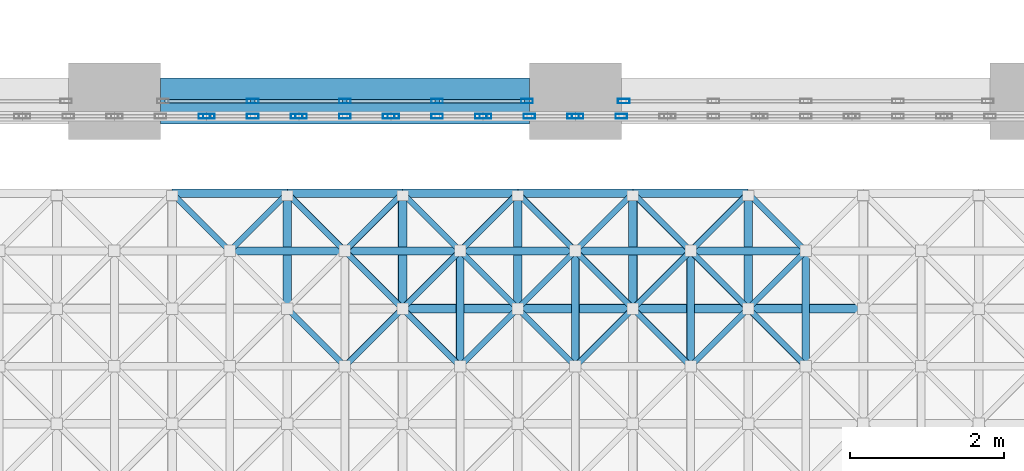
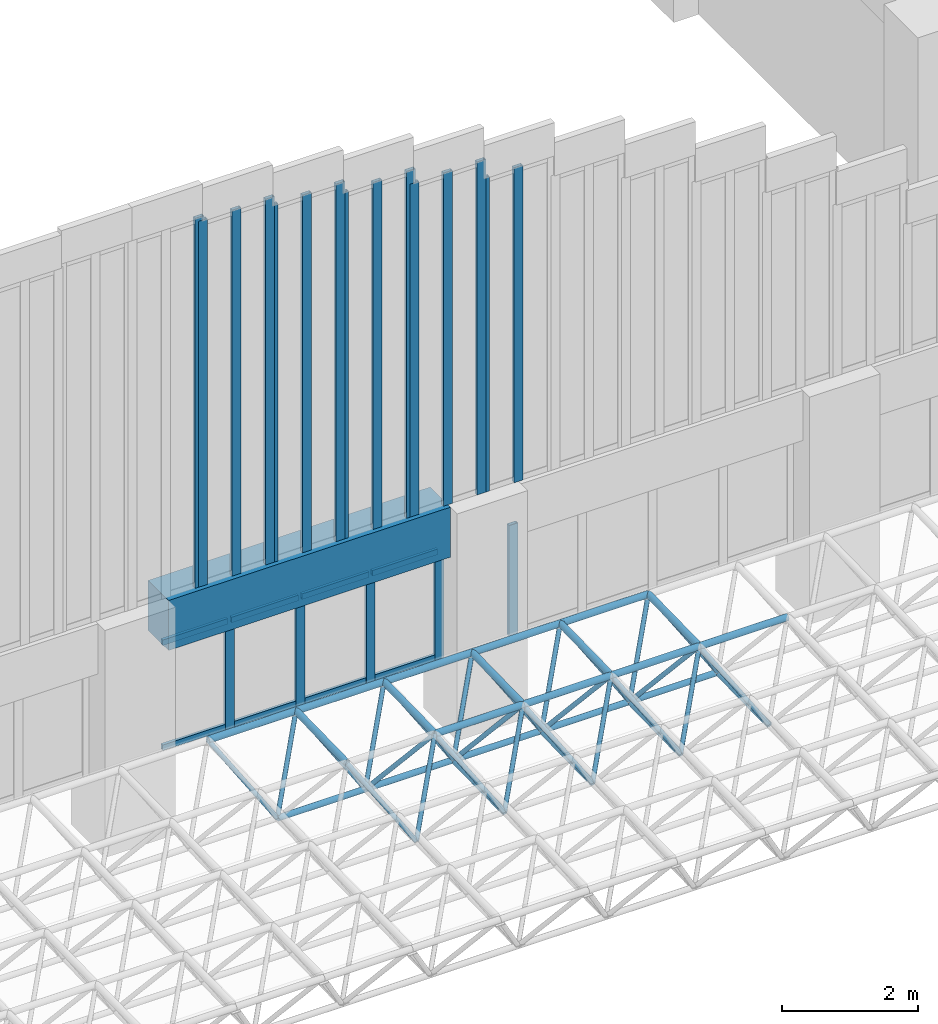
# One storey, part 15 of 103: 79 members, 1 beam, 8 elements without a shape of their own.
"""IFC4 building model written with IfcOpenShell, lengths in metres."""

from ifc_helpers import new_model, si_unit, direction, frame, origin, origin_2d, place, context, subcontext, project, spatial, rectangle, hollow_rectangle, hollow_circle, extrude, material, material_profile, profile_set, type_object, element, aggregate, save


model = new_model("IFC4")

# Units and contexts
model_context = context("Model", 3, precision=1e-05, world=origin(), true_north=direction((0.0, 1.0)))
body_context = subcontext(model_context, "Body", "Model", "MODEL_VIEW")
ifc_project = project(units=[si_unit("LENGTHUNIT", "METRE"), si_unit("AREAUNIT", "SQUARE_METRE"), si_unit("VOLUMEUNIT", "CUBIC_METRE"), si_unit("PLANEANGLEUNIT", "RADIAN"), si_unit("MASSUNIT", "GRAM", prefix="KILO")], contexts=[model_context])

# Site, building, storey
site_placement = place(None, origin())
site = spatial("IfcSite", under=ifc_project, at=site_placement, CompositionType="ELEMENT")
building_placement = place(site_placement, origin())
building = spatial("IfcBuilding", under=site, at=building_placement, Name="Laocheng Heights Fire and Rescue Headquarters", CompositionType="ELEMENT")
storey_placement = place(building_placement, frame((0.0, 0.0, 4.199951171875)))
storey = spatial("IfcBuildingStorey", under=building, at=storey_placement, Name="L01", CompositionType="ELEMENT", Elevation=4.199951171875)

# Curtain wall, members
ifc_material_1 = material(Name="Aluminium gable glazing, low-e double glazing", Category="aluminium")
curtain_wall_type_1 = type_object("IfcCurtainWallType", Name="GABLE SPANDREL GLAZED UNIT 4800 x 1990", PredefinedType="NOTDEFINED", material=ifc_material_1)
curtain_wall_1_placement = place(storey_placement, origin())
curtain_wall_1 = element("IfcCurtainWall", 1, at=curtain_wall_1_placement, inside=storey, type_object=curtain_wall_type_1, Name="Gable spandrel glazing S4", PredefinedType="NOTDEFINED")
ifc_material_2 = material(Name="Aluminium 6063-T5 extrusion", Category="aluminium")
ifc_material_profile_1 = material_profile(ifc_material_2, hollow_rectangle(XDim=0.06005859375, YDim=0.14990234375, WallThickness=0.0029296875, at=origin_2d()), Name="AL MULLION 150x60x3")
ifc_profile_set_1 = profile_set([ifc_material_profile_1], Name="Aluminium 6063-T5 extrusion")
member_type_1 = type_object("IfcMemberType", Name="AL GABLE MULLION 150x60x3", PredefinedType="MULLION", material=ifc_profile_set_1)
member_1_placement = place(storey_placement, frame((37.800048828125, 0.0, 1.199951171875), z_axis=(0.0, 0.0, 1.0), x_axis=(0.0, 1.0, 0.0)))
member_1 = element("IfcMember", 2, at=member_1_placement, type_object=member_type_1, Name="X1-D mullion 2", PredefinedType="MULLION", context=body_context, shape_type="SweptSolid", body=[
    extrude(hollow_rectangle(XDim=0.06005859375, YDim=0.14990234375, WallThickness=0.0029296875, at=origin_2d()), origin(), (0.0, 0.0, 1.0), 1.990478515625),
])
member_2_placement = place(storey_placement, frame((39.0, 0.0, 1.199951171875), z_axis=(0.0, 0.0, 1.0), x_axis=(0.0, 1.0, 0.0)))
member_2 = element("IfcMember", 3, at=member_2_placement, type_object=member_type_1, Name="X1-D mullion 3", PredefinedType="MULLION", context=body_context, shape_type="SweptSolid", body=[
    extrude(hollow_rectangle(XDim=0.06005859375, YDim=0.14990234375, WallThickness=0.0029296875, at=origin_2d()), origin(), (0.0, 0.0, 1.0), 1.990478515625),
])
member_3_placement = place(storey_placement, frame((40.199951171875, 0.0, 1.199951171875), z_axis=(0.0, 0.0, 1.0), x_axis=(0.0, 1.0, 0.0)))
member_3 = element("IfcMember", 4, at=member_3_placement, type_object=member_type_1, Name="X1-D mullion 4", PredefinedType="MULLION", context=body_context, shape_type="SweptSolid", body=[
    extrude(hollow_rectangle(XDim=0.06005859375, YDim=0.14990234375, WallThickness=0.0029296875, at=origin_2d()), origin(), (0.0, 0.0, 1.0), 1.990478515625),
])
member_4_placement = place(storey_placement, frame((41.3701171875, 0.0, 1.199951171875), z_axis=(0.0, 0.0, 1.0), x_axis=(0.0, 1.0, 0.0)))
member_4 = element("IfcMember", 5, at=member_4_placement, type_object=member_type_1, Name="X1-D mullion 5", PredefinedType="MULLION", context=body_context, shape_type="SweptSolid", body=[
    extrude(hollow_rectangle(XDim=0.06005859375, YDim=0.14990234375, WallThickness=0.0029296875, at=origin_2d()), origin(), (0.0, 0.0, 1.0), 1.990478515625),
])

# Curtain wall, member
curtain_wall_2_placement = place(storey_placement, origin())
curtain_wall_2 = element("IfcCurtainWall", 6, at=curtain_wall_2_placement, inside=storey, type_object=curtain_wall_type_1, Name="Gable spandrel glazing S5", PredefinedType="NOTDEFINED")
member_5_placement = place(storey_placement, frame((42.6298828125, 0.0, 1.199951171875), z_axis=(0.0, 0.0, 1.0), x_axis=(0.0, 1.0, 0.0)))
member_5 = element("IfcMember", 7, at=member_5_placement, type_object=member_type_1, Name="X1-D mullion 1", PredefinedType="MULLION", context=body_context, shape_type="SweptSolid", body=[
    extrude(hollow_rectangle(XDim=0.06005859375, YDim=0.14990234375, WallThickness=0.0029296875, at=origin_2d()), origin(), (0.0, 0.0, 1.0), 1.990478515625),
])
aggregate(curtain_wall_2, [member_5])

ifc_material_3 = material(Name="Aluminium gable glazing, low-e double glazing", Category="aluminium")
curtain_wall_type_2 = type_object("IfcCurtainWallType", Name="GABLE GLAZED UNIT 1200 x 6658", PredefinedType="NOTDEFINED", material=ifc_material_3)
curtain_wall_3_placement = place(storey_placement, origin())
curtain_wall_3 = element("IfcCurtainWall", 8, at=curtain_wall_3_placement, inside=storey, type_object=curtain_wall_type_2, Name="Gable glazing S17", PredefinedType="NOTDEFINED")
member_6_placement = place(storey_placement, frame((37.169921875, -0.196533203125, 4.090576171875), z_axis=(0.0, 0.0, 1.0), x_axis=(0.0, 1.0, 0.0)))
member_6 = element("IfcMember", 9, at=member_6_placement, type_object=member_type_1, Name="X15-D mullion 3", PredefinedType="MULLION", context=body_context, shape_type="SweptSolid", body=[
    extrude(hollow_rectangle(XDim=0.06005859375, YDim=0.14990234375, WallThickness=0.0029296875, at=origin_2d()), origin(), (0.0, 0.0, 1.0), 6.658447265625),
])
aggregate(curtain_wall_3, [member_6])

# Curtain wall, members
ifc_material_4 = material(Name="Aluminium gable glazing, low-e double glazing", Category="aluminium")
curtain_wall_type_3 = type_object("IfcCurtainWallType", Name="GABLE GLAZED UNIT 1200 x 6586", PredefinedType="NOTDEFINED", material=ifc_material_4)
curtain_wall_4_placement = place(storey_placement, origin())
curtain_wall_4 = element("IfcCurtainWall", 10, at=curtain_wall_4_placement, inside=storey, type_object=curtain_wall_type_3, Name="Gable glazing S18", PredefinedType="NOTDEFINED")
member_7_placement = place(storey_placement, frame((37.22998046875, -0.196533203125, 4.090576171875), z_axis=(0.0, 0.0, 1.0), x_axis=(0.0, 1.0, 0.0)))
member_7 = element("IfcMember", 11, at=member_7_placement, type_object=member_type_1, Name="X14-D mullion 1", PredefinedType="MULLION", context=body_context, shape_type="SweptSolid", body=[
    extrude(hollow_rectangle(XDim=0.06005859375, YDim=0.14990234375, WallThickness=0.0029296875, at=origin_2d()), origin(), (0.0, 0.0, 1.0), 6.58544921875),
])
member_8_placement = place(storey_placement, frame((37.800048828125, -0.196533203125, 4.090576171875), z_axis=(0.0, 0.0, 1.0), x_axis=(0.0, 1.0, 0.0)))
member_8 = element("IfcMember", 12, at=member_8_placement, type_object=member_type_1, Name="X14-D mullion 2", PredefinedType="MULLION", context=body_context, shape_type="SweptSolid", body=[
    extrude(hollow_rectangle(XDim=0.06005859375, YDim=0.14990234375, WallThickness=0.0029296875, at=origin_2d()), origin(), (0.0, 0.0, 1.0), 6.58544921875),
])
member_9_placement = place(storey_placement, frame((38.3701171875, -0.196533203125, 4.090576171875), z_axis=(0.0, 0.0, 1.0), x_axis=(0.0, 1.0, 0.0)))
member_9 = element("IfcMember", 13, at=member_9_placement, type_object=member_type_1, Name="X14-D mullion 3", PredefinedType="MULLION", context=body_context, shape_type="SweptSolid", body=[
    extrude(hollow_rectangle(XDim=0.06005859375, YDim=0.14990234375, WallThickness=0.0029296875, at=origin_2d()), origin(), (0.0, 0.0, 1.0), 6.58544921875),
])
aggregate(curtain_wall_4, [member_7, member_8, member_9])

ifc_material_5 = material(Name="Aluminium gable glazing, low-e double glazing", Category="aluminium")
curtain_wall_type_4 = type_object("IfcCurtainWallType", Name="GABLE GLAZED UNIT 1200 x 6438", PredefinedType="NOTDEFINED", material=ifc_material_5)
curtain_wall_5_placement = place(storey_placement, origin())
curtain_wall_5 = element("IfcCurtainWall", 14, at=curtain_wall_5_placement, inside=storey, type_object=curtain_wall_type_4, Name="Gable glazing S19", PredefinedType="NOTDEFINED")
member_10_placement = place(storey_placement, frame((38.429931640625, -0.196533203125, 4.090576171875), z_axis=(0.0, 0.0, 1.0), x_axis=(0.0, 1.0, 0.0)))
member_10 = element("IfcMember", 15, at=member_10_placement, type_object=member_type_1, Name="X13-D mullion 1", PredefinedType="MULLION", context=body_context, shape_type="SweptSolid", body=[
    extrude(hollow_rectangle(XDim=0.06005859375, YDim=0.14990234375, WallThickness=0.0029296875, at=origin_2d()), origin(), (0.0, 0.0, 1.0), 6.4375),
])
member_11_placement = place(storey_placement, frame((39.0, -0.196533203125, 4.090576171875), z_axis=(0.0, 0.0, 1.0), x_axis=(0.0, 1.0, 0.0)))
member_11 = element("IfcMember", 16, at=member_11_placement, type_object=member_type_1, Name="X13-D mullion 2", PredefinedType="MULLION", context=body_context, shape_type="SweptSolid", body=[
    extrude(hollow_rectangle(XDim=0.06005859375, YDim=0.14990234375, WallThickness=0.0029296875, at=origin_2d()), origin(), (0.0, 0.0, 1.0), 6.4375),
])
member_12_placement = place(storey_placement, frame((39.570068359375, -0.196533203125, 4.090576171875), z_axis=(0.0, 0.0, 1.0), x_axis=(0.0, 1.0, 0.0)))
member_12 = element("IfcMember", 17, at=member_12_placement, type_object=member_type_1, Name="X13-D mullion 3", PredefinedType="MULLION", context=body_context, shape_type="SweptSolid", body=[
    extrude(hollow_rectangle(XDim=0.06005859375, YDim=0.14990234375, WallThickness=0.0029296875, at=origin_2d()), origin(), (0.0, 0.0, 1.0), 6.4375),
])
aggregate(curtain_wall_5, [member_10, member_11, member_12])

ifc_material_6 = material(Name="Aluminium gable glazing, low-e double glazing", Category="aluminium")
curtain_wall_type_5 = type_object("IfcCurtainWallType", Name="GABLE GLAZED UNIT 1200 x 6246", PredefinedType="NOTDEFINED", material=ifc_material_6)
curtain_wall_6_placement = place(storey_placement, origin())
curtain_wall_6 = element("IfcCurtainWall", 18, at=curtain_wall_6_placement, inside=storey, type_object=curtain_wall_type_5, Name="Gable glazing S20", PredefinedType="NOTDEFINED")
member_13_placement = place(storey_placement, frame((39.6298828125, -0.196533203125, 4.090576171875), z_axis=(0.0, 0.0, 1.0), x_axis=(0.0, 1.0, 0.0)))
member_13 = element("IfcMember", 19, at=member_13_placement, type_object=member_type_1, Name="X12-D mullion 1", PredefinedType="MULLION", context=body_context, shape_type="SweptSolid", body=[
    extrude(hollow_rectangle(XDim=0.06005859375, YDim=0.14990234375, WallThickness=0.0029296875, at=origin_2d()), origin(), (0.0, 0.0, 1.0), 6.245361328125),
])
member_14_placement = place(storey_placement, frame((40.199951171875, -0.196533203125, 4.090576171875), z_axis=(0.0, 0.0, 1.0), x_axis=(0.0, 1.0, 0.0)))
member_14 = element("IfcMember", 20, at=member_14_placement, type_object=member_type_1, Name="X12-D mullion 2", PredefinedType="MULLION", context=body_context, shape_type="SweptSolid", body=[
    extrude(hollow_rectangle(XDim=0.06005859375, YDim=0.14990234375, WallThickness=0.0029296875, at=origin_2d()), origin(), (0.0, 0.0, 1.0), 6.245361328125),
])
member_15_placement = place(storey_placement, frame((40.77001953125, -0.196533203125, 4.090576171875), z_axis=(0.0, 0.0, 1.0), x_axis=(0.0, 1.0, 0.0)))
member_15 = element("IfcMember", 21, at=member_15_placement, type_object=member_type_1, Name="X12-D mullion 3", PredefinedType="MULLION", context=body_context, shape_type="SweptSolid", body=[
    extrude(hollow_rectangle(XDim=0.06005859375, YDim=0.14990234375, WallThickness=0.0029296875, at=origin_2d()), origin(), (0.0, 0.0, 1.0), 6.245361328125),
])
aggregate(curtain_wall_6, [member_13, member_14, member_15])

ifc_material_7 = material(Name="Aluminium gable glazing, low-e double glazing", Category="aluminium")
curtain_wall_type_6 = type_object("IfcCurtainWallType", Name="GABLE GLAZED UNIT 1200 x 5994", PredefinedType="NOTDEFINED", material=ifc_material_7)
curtain_wall_7_placement = place(storey_placement, origin())
curtain_wall_7 = element("IfcCurtainWall", 22, at=curtain_wall_7_placement, inside=storey, type_object=curtain_wall_type_6, Name="Gable glazing S21", PredefinedType="NOTDEFINED")
member_16_placement = place(storey_placement, frame((40.830078125, -0.196533203125, 4.090576171875), z_axis=(0.0, 0.0, 1.0), x_axis=(0.0, 1.0, 0.0)))
member_16 = element("IfcMember", 23, at=member_16_placement, type_object=member_type_1, Name="X11-D mullion 1", PredefinedType="MULLION", context=body_context, shape_type="SweptSolid", body=[
    extrude(hollow_rectangle(XDim=0.06005859375, YDim=0.14990234375, WallThickness=0.0029296875, at=origin_2d()), origin(), (0.0, 0.0, 1.0), 5.994384765625),
])
member_17_placement = place(storey_placement, frame((41.39990234375, -0.196533203125, 4.090576171875), z_axis=(0.0, 0.0, 1.0), x_axis=(0.0, 1.0, 0.0)))
member_17 = element("IfcMember", 24, at=member_17_placement, type_object=member_type_1, Name="X11-D mullion 2", PredefinedType="MULLION", context=body_context, shape_type="SweptSolid", body=[
    extrude(hollow_rectangle(XDim=0.06005859375, YDim=0.14990234375, WallThickness=0.0029296875, at=origin_2d()), origin(), (0.0, 0.0, 1.0), 5.994384765625),
])
member_18_placement = place(storey_placement, frame((41.969970703125, -0.196533203125, 4.090576171875), z_axis=(0.0, 0.0, 1.0), x_axis=(0.0, 1.0, 0.0)))
member_18 = element("IfcMember", 25, at=member_18_placement, type_object=member_type_1, Name="X11-D mullion 3", PredefinedType="MULLION", context=body_context, shape_type="SweptSolid", body=[
    extrude(hollow_rectangle(XDim=0.06005859375, YDim=0.14990234375, WallThickness=0.0029296875, at=origin_2d()), origin(), (0.0, 0.0, 1.0), 5.994384765625),
])
aggregate(curtain_wall_7, [member_16, member_17, member_18])

ifc_material_8 = material(Name="Aluminium gable glazing, low-e double glazing", Category="aluminium")
curtain_wall_type_7 = type_object("IfcCurtainWallType", Name="GABLE GLAZED UNIT 1200 x 5668", PredefinedType="NOTDEFINED", material=ifc_material_8)
curtain_wall_8_placement = place(storey_placement, origin())
curtain_wall_8 = element("IfcCurtainWall", 26, at=curtain_wall_8_placement, inside=storey, type_object=curtain_wall_type_7, Name="Gable glazing S22", PredefinedType="NOTDEFINED")
member_19_placement = place(storey_placement, frame((42.030029296875, -0.196533203125, 4.090576171875), z_axis=(0.0, 0.0, 1.0), x_axis=(0.0, 1.0, 0.0)))
member_19 = element("IfcMember", 27, at=member_19_placement, type_object=member_type_1, Name="X10-D mullion 1", PredefinedType="MULLION", context=body_context, shape_type="SweptSolid", body=[
    extrude(hollow_rectangle(XDim=0.06005859375, YDim=0.14990234375, WallThickness=0.0029296875, at=origin_2d()), origin(), (0.0, 0.0, 1.0), 5.66845703125),
])
member_20_placement = place(storey_placement, frame((42.60009765625, -0.196533203125, 4.090576171875), z_axis=(0.0, 0.0, 1.0), x_axis=(0.0, 1.0, 0.0)))
member_20 = element("IfcMember", 28, at=member_20_placement, type_object=member_type_1, Name="X10-D mullion 2", PredefinedType="MULLION", context=body_context, shape_type="SweptSolid", body=[
    extrude(hollow_rectangle(XDim=0.06005859375, YDim=0.14990234375, WallThickness=0.0029296875, at=origin_2d()), origin(), (0.0, 0.0, 1.0), 5.66845703125),
])
aggregate(curtain_wall_8, [member_19, member_20])

# Member
ifc_material_9 = material(Name="Aluminium 6063-T5 extrusion", Category="aluminium")
ifc_material_profile_2 = material_profile(ifc_material_9, hollow_rectangle(XDim=0.050048828125, YDim=0.10009765625, WallThickness=0.0029296875, at=origin_2d()), Name="AL TRANSOM 100x50x3")
ifc_profile_set_2 = profile_set([ifc_material_profile_2], Name="Aluminium 6063-T5 extrusion")
member_type_2 = type_object("IfcMemberType", Name="AL GABLE TRANSOM 100x50x3", PredefinedType="USERDEFINED", material=ifc_profile_set_2)
member_21_placement = place(storey_placement, frame((36.659912109375, 0.0, 1.25), z_axis=(1.0, 0.0, 0.0), x_axis=(0.0, 1.0, 0.0)))
member_21 = element("IfcMember", 29, at=member_21_placement, type_object=member_type_2, Name="X1-D transom 1.1", ObjectType="TRANSOM", PredefinedType="USERDEFINED", context=body_context, shape_type="SweptSolid", body=[
    extrude(hollow_rectangle(XDim=0.050048828125, YDim=0.10009765625, WallThickness=0.0029296875, at=origin_2d()), origin(), (0.0, 0.0, 1.0), 1.110107421875),
])

member_22_placement = place(storey_placement, frame((36.659912109375, 0.0, 3.140625), z_axis=(1.0, 0.0, 0.0), x_axis=(0.0, 1.0, 0.0)))
member_22 = element("IfcMember", 30, at=member_22_placement, type_object=member_type_2, Name="X1-D transom 1.2", ObjectType="TRANSOM", PredefinedType="USERDEFINED", context=body_context, shape_type="SweptSolid", body=[
    extrude(hollow_rectangle(XDim=0.050048828125, YDim=0.10009765625, WallThickness=0.0029296875, at=origin_2d()), origin(), (0.0, 0.0, 1.0), 1.110107421875),
])

member_23_placement = place(storey_placement, frame((37.830078125, 0.0, 1.25), z_axis=(1.0, 0.0, 0.0), x_axis=(0.0, 1.0, 0.0)))
member_23 = element("IfcMember", 31, at=member_23_placement, type_object=member_type_2, Name="X1-D transom 2.1", ObjectType="TRANSOM", PredefinedType="USERDEFINED", context=body_context, shape_type="SweptSolid", body=[
    extrude(hollow_rectangle(XDim=0.050048828125, YDim=0.10009765625, WallThickness=0.0029296875, at=origin_2d()), origin(), (0.0, 0.0, 1.0), 1.139892578125),
])

member_24_placement = place(storey_placement, frame((37.830078125, 0.0, 3.140625), z_axis=(1.0, 0.0, 0.0), x_axis=(0.0, 1.0, 0.0)))
member_24 = element("IfcMember", 32, at=member_24_placement, type_object=member_type_2, Name="X1-D transom 2.2", ObjectType="TRANSOM", PredefinedType="USERDEFINED", context=body_context, shape_type="SweptSolid", body=[
    extrude(hollow_rectangle(XDim=0.050048828125, YDim=0.10009765625, WallThickness=0.0029296875, at=origin_2d()), origin(), (0.0, 0.0, 1.0), 1.139892578125),
])

member_25_placement = place(storey_placement, frame((39.030029296875, 0.0, 1.25), z_axis=(1.0, 0.0, 0.0), x_axis=(0.0, 1.0, 0.0)))
member_25 = element("IfcMember", 33, at=member_25_placement, type_object=member_type_2, Name="X1-D transom 3.1", ObjectType="TRANSOM", PredefinedType="USERDEFINED", context=body_context, shape_type="SweptSolid", body=[
    extrude(hollow_rectangle(XDim=0.050048828125, YDim=0.10009765625, WallThickness=0.0029296875, at=origin_2d()), origin(), (0.0, 0.0, 1.0), 1.139892578125),
])

member_26_placement = place(storey_placement, frame((39.030029296875, 0.0, 3.140625), z_axis=(1.0, 0.0, 0.0), x_axis=(0.0, 1.0, 0.0)))
member_26 = element("IfcMember", 34, at=member_26_placement, type_object=member_type_2, Name="X1-D transom 3.2", ObjectType="TRANSOM", PredefinedType="USERDEFINED", context=body_context, shape_type="SweptSolid", body=[
    extrude(hollow_rectangle(XDim=0.050048828125, YDim=0.10009765625, WallThickness=0.0029296875, at=origin_2d()), origin(), (0.0, 0.0, 1.0), 1.139892578125),
])

member_27_placement = place(storey_placement, frame((40.22998046875, 0.0, 1.25), z_axis=(1.0, 0.0, 0.0), x_axis=(0.0, 1.0, 0.0)))
member_27 = element("IfcMember", 35, at=member_27_placement, type_object=member_type_2, Name="X1-D transom 4.1", ObjectType="TRANSOM", PredefinedType="USERDEFINED", context=body_context, shape_type="SweptSolid", body=[
    extrude(hollow_rectangle(XDim=0.050048828125, YDim=0.10009765625, WallThickness=0.0029296875, at=origin_2d()), origin(), (0.0, 0.0, 1.0), 1.110107421875),
])

member_28_placement = place(storey_placement, frame((40.22998046875, 0.0, 3.140625), z_axis=(1.0, 0.0, 0.0), x_axis=(0.0, 1.0, 0.0)))
member_28 = element("IfcMember", 36, at=member_28_placement, type_object=member_type_2, Name="X1-D transom 4.2", ObjectType="TRANSOM", PredefinedType="USERDEFINED", context=body_context, shape_type="SweptSolid", body=[
    extrude(hollow_rectangle(XDim=0.050048828125, YDim=0.10009765625, WallThickness=0.0029296875, at=origin_2d()), origin(), (0.0, 0.0, 1.0), 1.110107421875),
])

aggregate(curtain_wall_1, [member_1, member_2, member_3, member_4, member_21, member_22, member_23, member_24, member_25, member_26, member_27, member_28])

# Members
ifc_material_10 = material(Name="Steel Q355B", Category="steel")
ifc_material_profile_3 = material_profile(ifc_material_10, hollow_circle(Radius=0.05078125, WallThickness=0.00390625, at=origin_2d()), Name="CHS 101.6x4")
ifc_profile_set_3 = profile_set([ifc_material_profile_3], Name="Steel Q355B")
member_type_3 = type_object("IfcMemberType", Name="APRON CANOPY BOTTOM CHORD CHS 101.6x4", PredefinedType="CHORD", material=ifc_profile_set_3)
for number, where, z_axis, x_axis, name in (
    (37, (37.5, -1.949951171875, 0.861083984375), (1.0, 0.0, 0.0), (0.0, 1.0, 0.0), "Apron canopy bottom chord AC-B011"),
    (38, (39.0, -1.949951171875, 0.861083984375), (1.0, 0.0, 0.0), (0.0, 1.0, 0.0), "Apron canopy bottom chord AC-B012"),
    (39, (40.5, -1.949951171875, 0.861083984375), (1.0, 0.0, 0.0), (0.0, 1.0, 0.0), "Apron canopy bottom chord AC-B013"),
    (40, (42.0, -1.949951171875, 0.861083984375), (1.0, 0.0, 0.0), (0.0, 1.0, 0.0), "Apron canopy bottom chord AC-B014"),
    (41, (43.5, -1.949951171875, 0.861083984375), (1.0, 0.0, 0.0), (0.0, 1.0, 0.0), "Apron canopy bottom chord AC-B015"),
):
    element("IfcMember", number, at=place(storey_placement, frame(where, z_axis=z_axis, x_axis=x_axis)), inside=storey, type_object=member_type_3, Name=name, PredefinedType="CHORD", context=body_context, shape_type="SweptSolid", body=[
        extrude(hollow_circle(Radius=0.05078125, WallThickness=0.00390625, at=origin_2d()), origin(), (0.0, 0.0, 1.0), 1.5),
    ])
for number, where, z_axis, x_axis, name in (
    (42, (40.5, -1.949951171875, 0.861083984375), (0.0, -0.999799669399, -0.020015520725), (1.0, 0.0, 0.0), "Apron canopy bottom chord AC-B125"),
    (43, (42.0, -1.949951171875, 0.861083984375), (0.0, -0.999799669399, -0.020015520725), (1.0, 0.0, 0.0), "Apron canopy bottom chord AC-B128"),
    (44, (43.5, -1.949951171875, 0.861083984375), (0.0, -0.999799669399, -0.020015520725), (1.0, 0.0, 0.0), "Apron canopy bottom chord AC-B131"),
    (45, (45.0, -1.949951171875, 0.861083984375), (0.0, -0.999799669399, -0.020015520725), (1.0, 0.0, 0.0), "Apron canopy bottom chord AC-B134"),
):
    element("IfcMember", number, at=place(storey_placement, frame(where, z_axis=z_axis, x_axis=x_axis)), inside=storey, type_object=member_type_3, Name=name, PredefinedType="CHORD", context=body_context, shape_type="SweptSolid", body=[
        extrude(hollow_circle(Radius=0.05078125, WallThickness=0.00390625, at=origin_2d()), origin(), (0.0, 0.0, 1.0), 1.500244140625),
    ])
ifc_material_11 = material(Name="Steel Q355B", Category="steel")
ifc_material_profile_4 = material_profile(ifc_material_11, hollow_circle(Radius=0.05712890625, WallThickness=0.0048828125, at=origin_2d()), Name="CHS 114.3x5")
ifc_profile_set_4 = profile_set([ifc_material_profile_4], Name="Steel Q355B")
member_type_4 = type_object("IfcMemberType", Name="APRON CANOPY TOP CHORD CHS 114.3x5", PredefinedType="CHORD", material=ifc_profile_set_4)
for number, where, z_axis, x_axis, name in (
    (46, (36.75, -1.199951171875, 2.075927734375), (1.0, 0.0, 0.0), (0.0, 1.0, 0.0), "Apron canopy top chord AC-T011"),
    (47, (38.25, -1.199951171875, 2.075927734375), (1.0, 0.0, 0.0), (0.0, 1.0, 0.0), "Apron canopy top chord AC-T012"),
    (48, (39.75, -1.199951171875, 2.075927734375), (1.0, 0.0, 0.0), (0.0, 1.0, 0.0), "Apron canopy top chord AC-T013"),
    (49, (41.25, -1.199951171875, 2.075927734375), (1.0, 0.0, 0.0), (0.0, 1.0, 0.0), "Apron canopy top chord AC-T014"),
    (50, (42.75, -1.199951171875, 2.075927734375), (1.0, 0.0, 0.0), (0.0, 1.0, 0.0), "Apron canopy top chord AC-T015"),
    (51, (39.75, -2.699951171875, 2.046142578125), (1.0, 0.0, 0.0), (0.0, 1.0, 0.0), "Apron canopy top chord AC-T036"),
    (52, (41.25, -2.699951171875, 2.046142578125), (1.0, 0.0, 0.0), (0.0, 1.0, 0.0), "Apron canopy top chord AC-T037"),
    (53, (42.75, -2.699951171875, 2.046142578125), (1.0, 0.0, 0.0), (0.0, 1.0, 0.0), "Apron canopy top chord AC-T038"),
    (54, (44.25, -2.699951171875, 2.046142578125), (1.0, 0.0, 0.0), (0.0, 1.0, 0.0), "Apron canopy top chord AC-T039"),
):
    element("IfcMember", number, at=place(storey_placement, frame(where, z_axis=z_axis, x_axis=x_axis)), inside=storey, type_object=member_type_4, Name=name, PredefinedType="CHORD", context=body_context, shape_type="SweptSolid", body=[
        extrude(hollow_circle(Radius=0.05712890625, WallThickness=0.0048828125, at=origin_2d()), origin(), (0.0, 0.0, 1.0), 1.5),
    ])
for number, where, z_axis, x_axis, name in (
    (55, (38.25, -1.199951171875, 2.075927734375), (0.0, -0.999802912607, -0.019852857314), (1.0, 0.0, 0.0), "Apron canopy top chord AC-T160"),
    (56, (39.75, -1.199951171875, 2.075927734375), (0.0, -0.999802912607, -0.019852857314), (1.0, 0.0, 0.0), "Apron canopy top chord AC-T164"),
    (57, (41.25, -1.199951171875, 2.075927734375), (0.0, -0.999802912607, -0.019852857314), (1.0, 0.0, 0.0), "Apron canopy top chord AC-T168"),
    (58, (42.75, -1.199951171875, 2.075927734375), (0.0, -0.999802912607, -0.019852857314), (1.0, 0.0, 0.0), "Apron canopy top chord AC-T172"),
    (59, (44.25, -1.199951171875, 2.075927734375), (0.0, -0.999802912607, -0.019852857314), (1.0, 0.0, 0.0), "Apron canopy top chord AC-T176"),
):
    element("IfcMember", number, at=place(storey_placement, frame(where, z_axis=z_axis, x_axis=x_axis)), inside=storey, type_object=member_type_4, Name=name, PredefinedType="CHORD", context=body_context, shape_type="SweptSolid", body=[
        extrude(hollow_circle(Radius=0.05712890625, WallThickness=0.0048828125, at=origin_2d()), origin(), (0.0, 0.0, 1.0), 1.500244140625),
    ])
ifc_material_12 = material(Name="Steel Q355B", Category="steel")
ifc_material_profile_5 = material_profile(ifc_material_12, hollow_circle(Radius=0.0380859375, WallThickness=0.00390625, at=origin_2d()), Name="CHS 76.1x4")
ifc_profile_set_5 = profile_set([ifc_material_profile_5], Name="Steel Q355B")
member_type_5 = type_object("IfcMemberType", Name="APRON CANOPY WEB CHS 76.1x4", PredefinedType="BRACE", material=ifc_profile_set_5)
for number, where, z_axis, x_axis, name in (
    (60, (37.5, -1.949951171875, 0.861083984375), (-0.46505465934, 0.46505465934, 0.753291661743), (-0.707106781187, -0.707106781187, 0.0), "Apron canopy web AC-W041"),
    (61, (37.5, -1.949951171875, 0.861083984375), (0.46505465934, 0.46505465934, 0.753291661743), (-0.707106781187, 0.707106781187, 0.0), "Apron canopy web AC-W042"),
    (62, (39.0, -1.949951171875, 0.861083984375), (-0.46505465934, 0.46505465934, 0.753291661743), (-0.707106781187, -0.707106781187, 0.0), "Apron canopy web AC-W045"),
    (63, (39.0, -1.949951171875, 0.861083984375), (0.46505465934, 0.46505465934, 0.753291661743), (-0.707106781187, 0.707106781187, 0.0), "Apron canopy web AC-W046"),
):
    element("IfcMember", number, at=place(storey_placement, frame(where, z_axis=z_axis, x_axis=x_axis)), inside=storey, type_object=member_type_5, Name=name, PredefinedType="BRACE", context=body_context, shape_type="SweptSolid", body=[
        extrude(hollow_circle(Radius=0.0380859375, WallThickness=0.00390625, at=origin_2d()), origin(), (0.0, 0.0, 1.0), 1.61279296875),
    ])
member_29_placement = place(storey_placement, frame((39.0, -1.949951171875, 0.861083984375), z_axis=(0.471580249604, -0.471580249604, 0.745133636582), x_axis=(0.707106781187, 0.707106781187, 0.0)))
element("IfcMember", 64, at=member_29_placement, inside=storey, type_object=member_type_5, Name="Apron canopy web AC-W048", PredefinedType="BRACE", context=body_context, shape_type="SweptSolid", body=[
    extrude(hollow_circle(Radius=0.0380859375, WallThickness=0.00390625, at=origin_2d()), origin(), (0.0, 0.0, 1.0), 1.59033203125),
])
for number, where, z_axis, x_axis, name in (
    (65, (40.5, -1.949951171875, 0.861083984375), (-0.46505465934, 0.46505465934, 0.753291661743), (-0.707106781187, -0.707106781187, 0.0), "Apron canopy web AC-W049"),
    (66, (40.5, -1.949951171875, 0.861083984375), (0.46505465934, 0.46505465934, 0.753291661743), (-0.707106781187, 0.707106781187, 0.0), "Apron canopy web AC-W050"),
):
    element("IfcMember", number, at=place(storey_placement, frame(where, z_axis=z_axis, x_axis=x_axis)), inside=storey, type_object=member_type_5, Name=name, PredefinedType="BRACE", context=body_context, shape_type="SweptSolid", body=[
        extrude(hollow_circle(Radius=0.0380859375, WallThickness=0.00390625, at=origin_2d()), origin(), (0.0, 0.0, 1.0), 1.61279296875),
    ])
for number, where, z_axis, x_axis, name in (
    (67, (40.5, -1.949951171875, 0.861083984375), (-0.471580249604, -0.471580249604, 0.745133636582), (0.707106781187, -0.707106781187, 0.0), "Apron canopy web AC-W051"),
    (68, (40.5, -1.949951171875, 0.861083984375), (0.471580249604, -0.471580249604, 0.745133636582), (0.707106781187, 0.707106781187, 0.0), "Apron canopy web AC-W052"),
):
    element("IfcMember", number, at=place(storey_placement, frame(where, z_axis=z_axis, x_axis=x_axis)), inside=storey, type_object=member_type_5, Name=name, PredefinedType="BRACE", context=body_context, shape_type="SweptSolid", body=[
        extrude(hollow_circle(Radius=0.0380859375, WallThickness=0.00390625, at=origin_2d()), origin(), (0.0, 0.0, 1.0), 1.59033203125),
    ])
for number, where, z_axis, x_axis, name in (
    (69, (42.0, -1.949951171875, 0.861083984375), (-0.46505465934, 0.46505465934, 0.753291661743), (-0.707106781187, -0.707106781187, 0.0), "Apron canopy web AC-W053"),
    (70, (42.0, -1.949951171875, 0.861083984375), (0.46505465934, 0.46505465934, 0.753291661743), (-0.707106781187, 0.707106781187, 0.0), "Apron canopy web AC-W054"),
):
    element("IfcMember", number, at=place(storey_placement, frame(where, z_axis=z_axis, x_axis=x_axis)), inside=storey, type_object=member_type_5, Name=name, PredefinedType="BRACE", context=body_context, shape_type="SweptSolid", body=[
        extrude(hollow_circle(Radius=0.0380859375, WallThickness=0.00390625, at=origin_2d()), origin(), (0.0, 0.0, 1.0), 1.61279296875),
    ])
for number, where, z_axis, x_axis, name in (
    (71, (42.0, -1.949951171875, 0.861083984375), (-0.471580249604, -0.471580249604, 0.745133636582), (0.707106781187, -0.707106781187, 0.0), "Apron canopy web AC-W055"),
    (72, (42.0, -1.949951171875, 0.861083984375), (0.471580249604, -0.471580249604, 0.745133636582), (0.707106781187, 0.707106781187, 0.0), "Apron canopy web AC-W056"),
):
    element("IfcMember", number, at=place(storey_placement, frame(where, z_axis=z_axis, x_axis=x_axis)), inside=storey, type_object=member_type_5, Name=name, PredefinedType="BRACE", context=body_context, shape_type="SweptSolid", body=[
        extrude(hollow_circle(Radius=0.0380859375, WallThickness=0.00390625, at=origin_2d()), origin(), (0.0, 0.0, 1.0), 1.59033203125),
    ])
for number, where, z_axis, x_axis, name in (
    (73, (43.5, -1.949951171875, 0.861083984375), (-0.46505465934, 0.46505465934, 0.753291661743), (-0.707106781187, -0.707106781187, 0.0), "Apron canopy web AC-W057"),
    (74, (43.5, -1.949951171875, 0.861083984375), (0.46505465934, 0.46505465934, 0.753291661743), (-0.707106781187, 0.707106781187, 0.0), "Apron canopy web AC-W058"),
):
    element("IfcMember", number, at=place(storey_placement, frame(where, z_axis=z_axis, x_axis=x_axis)), inside=storey, type_object=member_type_5, Name=name, PredefinedType="BRACE", context=body_context, shape_type="SweptSolid", body=[
        extrude(hollow_circle(Radius=0.0380859375, WallThickness=0.00390625, at=origin_2d()), origin(), (0.0, 0.0, 1.0), 1.61279296875),
    ])
for number, where, z_axis, x_axis, name in (
    (75, (43.5, -1.949951171875, 0.861083984375), (-0.471580249604, -0.471580249604, 0.745133636582), (0.707106781187, -0.707106781187, 0.0), "Apron canopy web AC-W059"),
    (76, (43.5, -1.949951171875, 0.861083984375), (0.471580249604, -0.471580249604, 0.745133636582), (0.707106781187, 0.707106781187, 0.0), "Apron canopy web AC-W060"),
):
    element("IfcMember", number, at=place(storey_placement, frame(where, z_axis=z_axis, x_axis=x_axis)), inside=storey, type_object=member_type_5, Name=name, PredefinedType="BRACE", context=body_context, shape_type="SweptSolid", body=[
        extrude(hollow_circle(Radius=0.0380859375, WallThickness=0.00390625, at=origin_2d()), origin(), (0.0, 0.0, 1.0), 1.59033203125),
    ])
member_30_placement = place(storey_placement, frame((45.0, -1.949951171875, 0.861083984375), z_axis=(-0.46505465934, 0.46505465934, 0.753291661743), x_axis=(-0.707106781187, -0.707106781187, 0.0)))
element("IfcMember", 77, at=member_30_placement, inside=storey, type_object=member_type_5, Name="Apron canopy web AC-W061", PredefinedType="BRACE", context=body_context, shape_type="SweptSolid", body=[
    extrude(hollow_circle(Radius=0.0380859375, WallThickness=0.00390625, at=origin_2d()), origin(), (0.0, 0.0, 1.0), 1.61279296875),
])
member_31_placement = place(storey_placement, frame((45.0, -1.949951171875, 0.861083984375), z_axis=(-0.471580249604, -0.471580249604, 0.745133636582), x_axis=(0.707106781187, -0.707106781187, 0.0)))
element("IfcMember", 78, at=member_31_placement, inside=storey, type_object=member_type_5, Name="Apron canopy web AC-W063", PredefinedType="BRACE", context=body_context, shape_type="SweptSolid", body=[
    extrude(hollow_circle(Radius=0.0380859375, WallThickness=0.00390625, at=origin_2d()), origin(), (0.0, 0.0, 1.0), 1.59033203125),
])
for number, where, z_axis, x_axis, name in (
    (79, (39.0, -3.449951171875, 0.8310546875), (-0.465001629625, 0.465001629625, 0.75335713237), (-0.707106781187, -0.707106781187, 0.0), "Apron canopy web AC-W137"),
    (80, (39.0, -3.449951171875, 0.8310546875), (0.465001629625, 0.465001629625, 0.75335713237), (-0.707106781187, 0.707106781187, 0.0), "Apron canopy web AC-W138"),
    (81, (40.5, -3.449951171875, 0.8310546875), (-0.465001629625, 0.465001629625, 0.75335713237), (-0.707106781187, -0.707106781187, 0.0), "Apron canopy web AC-W141"),
    (82, (40.5, -3.449951171875, 0.8310546875), (0.465001629625, 0.465001629625, 0.75335713237), (-0.707106781187, 0.707106781187, 0.0), "Apron canopy web AC-W142"),
    (83, (42.0, -3.449951171875, 0.8310546875), (-0.465001629625, 0.465001629625, 0.75335713237), (-0.707106781187, -0.707106781187, 0.0), "Apron canopy web AC-W145"),
    (84, (42.0, -3.449951171875, 0.8310546875), (0.465001629625, 0.465001629625, 0.75335713237), (-0.707106781187, 0.707106781187, 0.0), "Apron canopy web AC-W146"),
    (85, (43.5, -3.449951171875, 0.8310546875), (-0.465001629625, 0.465001629625, 0.75335713237), (-0.707106781187, -0.707106781187, 0.0), "Apron canopy web AC-W149"),
    (86, (43.5, -3.449951171875, 0.8310546875), (0.465001629625, 0.465001629625, 0.75335713237), (-0.707106781187, 0.707106781187, 0.0), "Apron canopy web AC-W150"),
    (87, (45.0, -3.449951171875, 0.8310546875), (-0.465001629625, 0.465001629625, 0.75335713237), (-0.707106781187, -0.707106781187, 0.0), "Apron canopy web AC-W153"),
):
    element("IfcMember", number, at=place(storey_placement, frame(where, z_axis=z_axis, x_axis=x_axis)), inside=storey, type_object=member_type_5, Name=name, PredefinedType="BRACE", context=body_context, shape_type="SweptSolid", body=[
        extrude(hollow_circle(Radius=0.0380859375, WallThickness=0.00390625, at=origin_2d()), origin(), (0.0, 0.0, 1.0), 1.61279296875),
    ])

# Beam
ifc_material_13 = material(Name="Concrete C50", Category="concrete")
ifc_material_profile_6 = material_profile(ifc_material_13, rectangle(XDim=0.60009765625, YDim=0.89990234375, at=origin_2d()), Name="RC BEAM 600x900 GABLE SPRING BEAM")
ifc_profile_set_6 = profile_set([ifc_material_profile_6], Name="Concrete C50")
beam_type = type_object("IfcBeamType", Name="RC BEAM 600x900 GABLE SPRING BEAM", PredefinedType="BEAM", material=ifc_profile_set_6)
beam_placement = place(storey_placement, frame((36.60009765625, 0.0, 3.640625), z_axis=(1.0, 0.0, 0.0), x_axis=(0.0, 1.0, 0.0)))
element("IfcBeam", 88, at=beam_placement, inside=storey, type_object=beam_type, Name="Gable spring beam S4", PredefinedType="BEAM", context=body_context, shape_type="SweptSolid", body=[
    extrude(rectangle(XDim=0.60009765625, YDim=0.89990234375, at=origin_2d()), origin(), (0.0, 0.0, 1.0), 4.7998046875),
])

save(model, "model.ifc")
